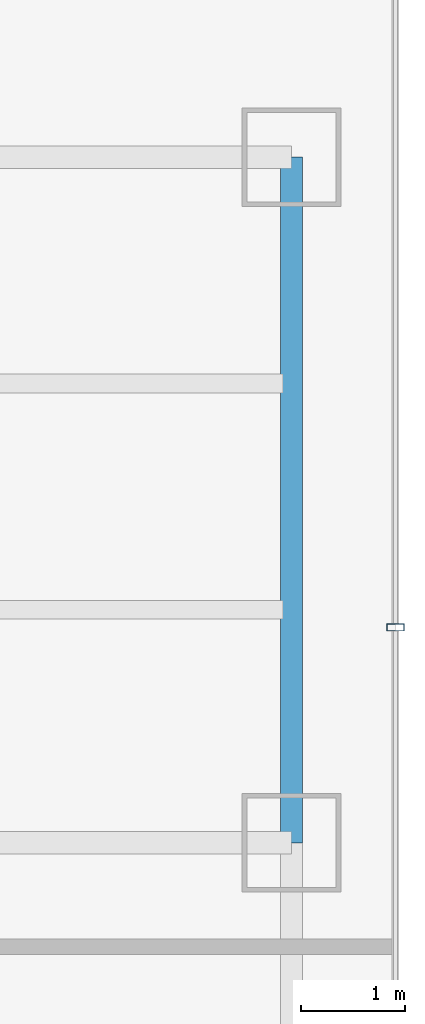
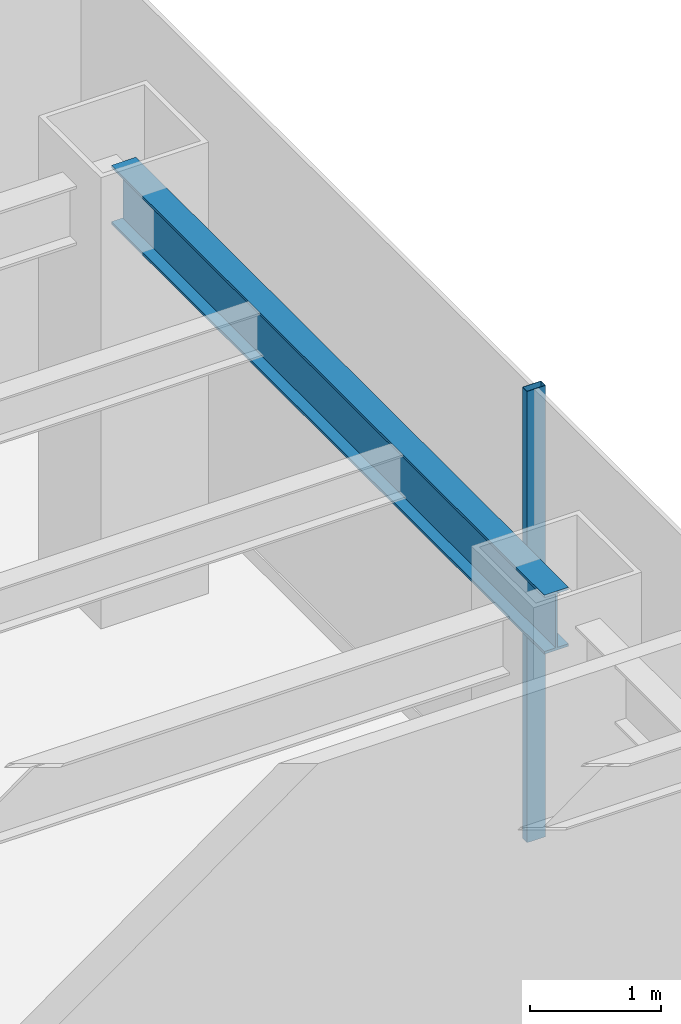
# One storey, part 15 of 35: 1 beam, 1 member, 1 element without a shape of its own.
"""IFC4 building model written with IfcOpenShell, lengths in metres."""

from ifc_helpers import new_model, si_unit, derived_unit, direction, frame, origin, origin_2d, place, context, subcontext, project, spatial, hollow_rectangle, i_section, extrude, source, transform, mapped, material, material_profile, profile_set, type_object, element, aggregate, save


model = new_model("IFC4")

# Units and contexts
model_context = context("Model", 3, precision=1e-05, world=origin(), true_north=direction((0.0, 1.0)))
body_context = subcontext(model_context, "Body", "Model", "MODEL_VIEW")
ifc_project = project(units=[si_unit("LENGTHUNIT", "METRE"), si_unit("AREAUNIT", "SQUARE_METRE"), si_unit("VOLUMEUNIT", "CUBIC_METRE"), si_unit("PLANEANGLEUNIT", "RADIAN"), si_unit("MASSUNIT", "GRAM", prefix="KILO"), derived_unit("THERMALTRANSMITTANCEUNIT", [(si_unit("POWERUNIT", "WATT"), 1), (si_unit("LENGTHUNIT", "METRE"), -2), (si_unit("THERMODYNAMICTEMPERATUREUNIT", "KELVIN"), -1)])], contexts=[model_context])

# Site, building, storey
site_placement = place(None, origin())
site = spatial("IfcSite", under=ifc_project, at=site_placement, CompositionType="ELEMENT")
building_placement = place(site_placement, origin())
building = spatial("IfcBuilding", under=site, at=building_placement, Name="Skarnbrae Concourse Arena and Tower", CompositionType="ELEMENT")
storey_placement = place(building_placement, frame((0.0, 0.0, 79.949951171875)))
storey = spatial("IfcBuildingStorey", under=building, at=storey_placement, Name="L19", CompositionType="ELEMENT", Elevation=79.949951171875)

# Beam
ifc_material_1 = material(Name="Steel CSA G40.21 350W", Category="steel")
ifc_material_profile_1 = material_profile(ifc_material_1, i_section(OverallWidth=0.214111328125, OverallDepth=0.549072265625, WebThickness=0.0146484375, FlangeThickness=0.023681640625, at=origin_2d()), Name="W530X138")
ifc_profile_set_1 = profile_set([ifc_material_profile_1], Name="Steel CSA G40.21 350W")
beam_type = type_object("IfcBeamType", Name="BM-SPAN-W530X138", PredefinedType="SPANDREL", material=ifc_profile_set_1)
shared_shape_1 = source(origin(), body_context, "Body", "SweptSolid", [
    extrude(i_section(OverallWidth=0.214111328125, OverallDepth=0.549072265625, WebThickness=0.0146484375, FlangeThickness=0.023681640625, at=origin_2d()), origin(), (0.0, 0.0, 1.0), 6.599853515625),
])
beam_placement = place(storey_placement, frame((61.0, 27.800048828125, 3.62548828125), z_axis=(0.0, 1.0, 0.0), x_axis=(-1.0, 0.0, 0.0)))
element("IfcBeam", 1, at=beam_placement, inside=storey, type_object=beam_type, Name="L19 Perimeter spandrel X61.0-4", PredefinedType="SPANDREL", context=body_context, shape_type="MappedRepresentation", body=[
    mapped(shared_shape_1, transform((0.0, 0.0, 0.0))),
])

# Curtain wall, member
ifc_material_2 = material(Name="Bronze anodised aluminium 6063-T6", Category="aluminium")
curtain_wall_type = type_object("IfcCurtainWallType", Name="CW-SYS-06-SKYLOBBY", PredefinedType="USERDEFINED", material=ifc_material_2)
curtain_wall_placement = place(storey_placement, origin())
curtain_wall = element("IfcCurtainWall", 2, at=curtain_wall_placement, inside=storey, type_object=curtain_wall_type, Name="L19 Unitised curtain wall CW-L19-E04", ObjectType="UNITISED CURTAIN WALL", PredefinedType="USERDEFINED")
ifc_material_profile_2 = material_profile(ifc_material_2, hollow_rectangle(XDim=0.070068359375, YDim=0.1650390625, WallThickness=0.00390625, at=origin_2d()), Name="ALU-MULL-70X165")
ifc_profile_set_2 = profile_set([ifc_material_profile_2], Name="Bronze anodised aluminium 6063-T6")
member_type = type_object("IfcMemberType", Name="CWM-CW-06", PredefinedType="MULLION", material=ifc_profile_set_2)
shared_shape_2 = source(origin(), body_context, "Body", "SweptSolid", [
    extrude(hollow_rectangle(XDim=0.070068359375, YDim=0.1650390625, WallThickness=0.00390625, at=origin_2d()), origin(), (0.0, 0.0, 1.0), 4.199951171875),
])
member_placement = place(storey_placement, frame((62.0, 29.875, 0.0), z_axis=(0.0, 0.0, 1.0), x_axis=(0.0, 1.0, 0.0)))
member = element("IfcMember", 3, at=member_placement, type_object=member_type, Name="CW-L19-E04 Mullion 4", PredefinedType="MULLION", context=body_context, shape_type="MappedRepresentation", body=[
    mapped(shared_shape_2, transform((0.0, 0.0, 0.0))),
])
aggregate(curtain_wall, [member])

save(model, "model.ifc")
